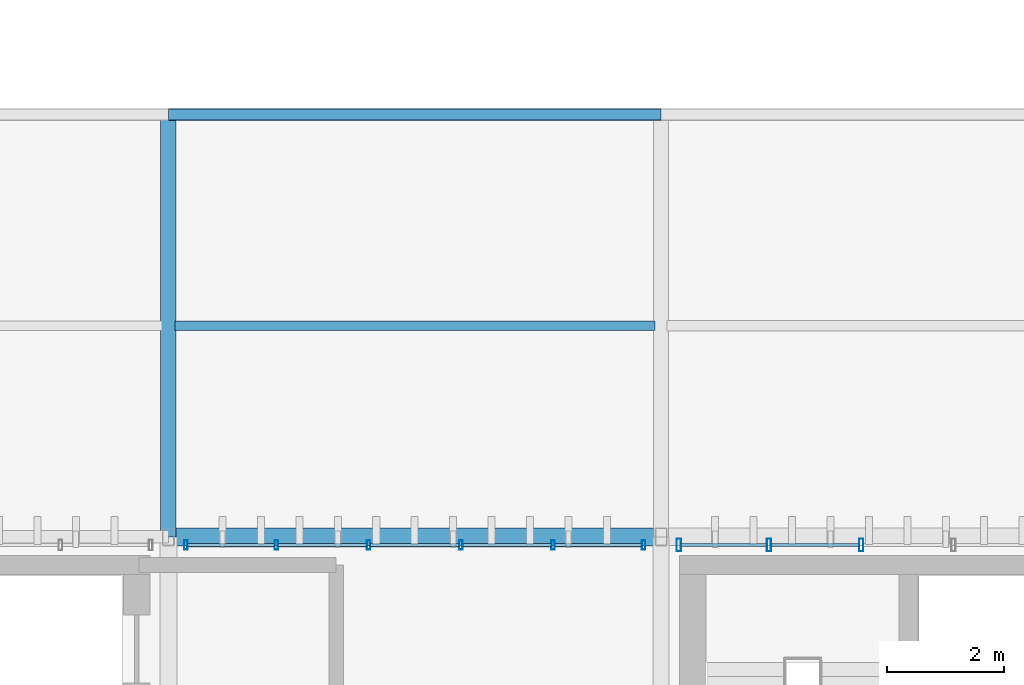
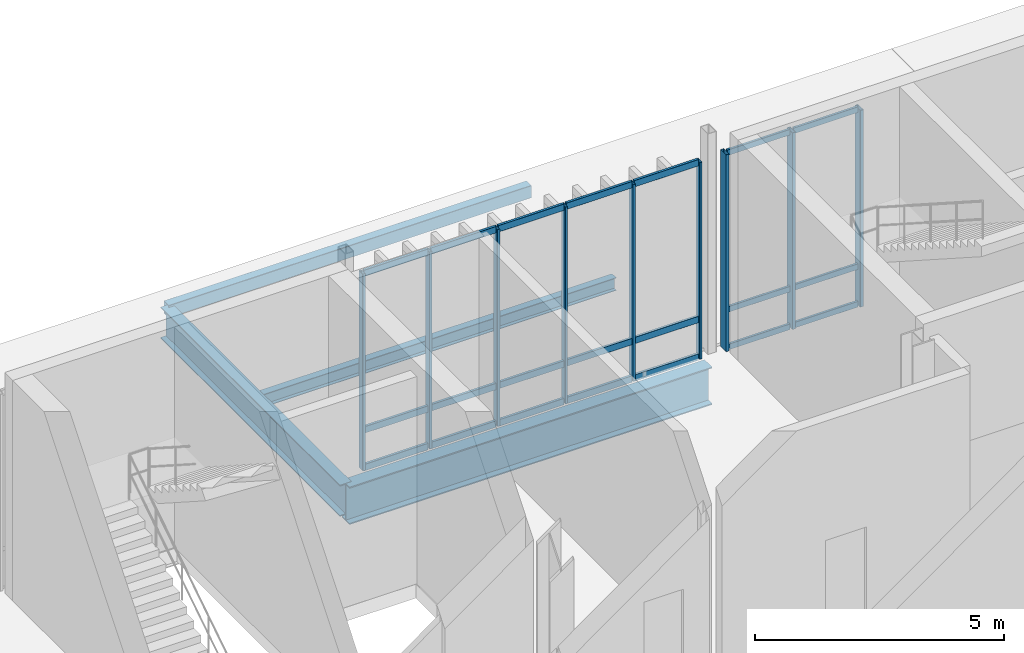
# One storey, part 29 of 112: 30 members, 4 beams, 2 elements without a shape of their own.
"""IFC4 building model written with IfcOpenShell, lengths in metres."""

from ifc_helpers import new_model, si_unit, direction, frame, origin_with_axes, origin_2d_with_axis, place, context, subcontext, project, spatial, hollow_rectangle, i_section, extrude, material, material_profile, profile_set, type_object, element, aggregate, save


model = new_model("IFC4")

# Units and contexts
model_context = context("Model", 3, precision=1e-05, world=origin_with_axes(), true_north=direction((0.0, 1.0)))
body_context = subcontext(model_context, "Body", "Model", "MODEL_VIEW")
ifc_project = project(units=[si_unit("LENGTHUNIT", "METRE"), si_unit("AREAUNIT", "SQUARE_METRE"), si_unit("VOLUMEUNIT", "CUBIC_METRE"), si_unit("PLANEANGLEUNIT", "RADIAN"), si_unit("MASSUNIT", "GRAM", prefix="KILO"), si_unit("THERMODYNAMICTEMPERATUREUNIT", "KELVIN")], contexts=[model_context])

# Site, building, storey
site_placement = place(None, origin_with_axes())
site = spatial("IfcSite", under=ifc_project, at=site_placement, CompositionType="ELEMENT")
building_placement = place(site_placement, origin_with_axes())
building = spatial("IfcBuilding", under=site, at=building_placement, Name="Montbau Bow Law Courts", CompositionType="ELEMENT")
storey_placement = place(building_placement, origin_with_axes())
storey = spatial("IfcBuildingStorey", under=building, at=storey_placement, Name="L00", CompositionType="ELEMENT", Elevation=0.0)

# Beams
ifc_material_1 = material(Name="Steel CSA G40.21 Grade 350W (350 MPa)", Category="steel")
ifc_material_profile_1 = material_profile(ifc_material_1, i_section(OverallWidth=0.306, OverallDepth=0.919, WebThickness=0.0173, FlangeThickness=0.0279, at=origin_2d_with_axis()), Name="W920X253", Category="Main", Priority=0)
ifc_profile_set_1 = profile_set([ifc_material_profile_1], Name="Steel CSA G40.21 Grade 350W (350 MPa)")
beam_type_1 = type_object("IfcBeamType", Name="B-FLR-01", PredefinedType="BEAM", material=ifc_profile_set_1)
beam_1_placement = place(None, frame((22.2, 54.6, -0.8), z_axis=(1.0, 0.0, 0.0), x_axis=(0.0, 1.0, 0.0)))
element("IfcBeam", 1, at=beam_1_placement, inside=storey, type_object=beam_type_1, Name="BM-L00-S0211:bm2_0214", PredefinedType="BEAM", context=body_context, shape_type="SweptSolid", body=[
    extrude(i_section(OverallWidth=0.306, OverallDepth=0.919, WebThickness=0.0173, FlangeThickness=0.0279, at=origin_2d_with_axis()), origin_with_axes(), (0.0, 0.0, 1.0), 8.4),
])
ifc_material_profile_2 = material_profile(ifc_material_1, i_section(OverallWidth=0.267, OverallDepth=0.766, WebThickness=0.0149, FlangeThickness=0.0236, at=origin_2d_with_axis()), Name="W760X185", Category="Main", Priority=0)
ifc_profile_set_2 = profile_set([ifc_material_profile_2], Name="Steel CSA G40.21 Grade 350W (350 MPa)")
beam_type_2 = type_object("IfcBeamType", Name="B-FLR-03", PredefinedType="BEAM", material=ifc_profile_set_2)
beam_2_placement = place(None, frame((22.2, 54.6, -0.723), z_axis=(0.0, 1.0, 0.0), x_axis=(-1.0, 0.0, 0.0)))
element("IfcBeam", 2, at=beam_2_placement, inside=storey, type_object=beam_type_2, Name="BM-L00-S0253:bm2_0256", PredefinedType="BEAM", context=body_context, shape_type="SweptSolid", body=[
    extrude(i_section(OverallWidth=0.267, OverallDepth=0.766, WebThickness=0.0149, FlangeThickness=0.0236, at=origin_2d_with_axis()), origin_with_axes(), (0.0, 0.0, 1.0), 7.2),
])
ifc_material_profile_3 = material_profile(ifc_material_1, i_section(OverallWidth=0.166, OverallDepth=0.313, WebThickness=0.0066, FlangeThickness=0.0112, at=origin_2d_with_axis()), Name="W310X45", Category="Main", Priority=0)
ifc_profile_set_3 = profile_set([ifc_material_profile_3], Name="Steel CSA G40.21 Grade 350W (350 MPa)")
beam_type_3 = type_object("IfcBeamType", Name="B-JST-04", PredefinedType="JOIST", material=ifc_profile_set_3)
beam_3_placement = place(None, frame((22.309, 58.2, -0.497), z_axis=(1.0, 0.0, 0.0), x_axis=(0.0, 1.0, 0.0)))
element("IfcBeam", 3, at=beam_3_placement, inside=storey, type_object=beam_type_3, Name="JST-L00-S0023:jst2_0023", PredefinedType="JOIST", context=body_context, shape_type="SweptSolid", body=[
    extrude(i_section(OverallWidth=0.166, OverallDepth=0.313, WebThickness=0.0066, FlangeThickness=0.0112, at=origin_2d_with_axis()), origin_with_axes(), (0.0, 0.0, 1.0), 8.188),
])
ifc_material_2 = material(Name="Steel CSA G40.21 Grade 350WT (350 MPa)", Category="steel")
ifc_material_profile_4 = material_profile(ifc_material_2, hollow_rectangle(XDim=0.203, YDim=0.305, WallThickness=0.0127, InnerFilletRadius=0.0254, OuterFilletRadius=0.0127, at=origin_2d_with_axis()), Name="HSS305X203X13", Category="Main", Priority=0)
ifc_profile_set_4 = profile_set([ifc_material_profile_4], Name="Steel CSA G40.21 Grade 350WT (350 MPa)")
beam_type_4 = type_object("IfcBeamType", Name="B-SPN-02", PredefinedType="SPANDREL", material=ifc_profile_set_4)
beam_4_placement = place(None, frame((22.2, 61.8, -0.443), z_axis=(1.0, 0.0, 0.0), x_axis=(0.0, 1.0, 0.0)))
element("IfcBeam", 4, at=beam_4_placement, inside=storey, type_object=beam_type_4, Name="SPN-L00-S0224:bm2_0227", PredefinedType="SPANDREL", context=body_context, shape_type="SweptSolid", body=[
    extrude(hollow_rectangle(XDim=0.203, YDim=0.305, WallThickness=0.0127, InnerFilletRadius=0.0254, OuterFilletRadius=0.0127, at=origin_2d_with_axis()), origin_with_axes(), (0.0, 0.0, 1.0), 8.4),
])

# Curtain wall, members
ifc_material_3 = material(Name="Thermally Broken Extruded Aluminium AA 6063-T6", Category="aluminium")
curtain_wall_type = type_object("IfcCurtainWallType", Name="CW-TRC-01", PredefinedType="NOTDEFINED", material=ifc_material_3)
curtain_wall_1_placement = place(None, frame((30.867, 54.46, 0.0), z_axis=(0.0, 0.0, 1.0), x_axis=(1.0, 0.0, 0.0)))
curtain_wall_1 = element("IfcCurtainWall", 5, at=curtain_wall_1_placement, inside=storey, type_object=curtain_wall_type, Name="CW-L00-009:cw_0009", PredefinedType="NOTDEFINED")
ifc_material_profile_5 = material_profile(ifc_material_3, hollow_rectangle(XDim=0.075, YDim=0.22, WallThickness=0.005, InnerFilletRadius=0.01, OuterFilletRadius=0.005, at=origin_2d_with_axis()), Name="CWM-220X75", Category="Main", Priority=0)
ifc_profile_set_5 = profile_set([ifc_material_profile_5], Name="Thermally Broken Extruded Aluminium AA 6063-T6")
member_type_1 = type_object("IfcMemberType", Name="M-MUL-01", PredefinedType="MULLION", material=ifc_profile_set_5)
member_1_placement = place(None, frame((30.904, 54.46, 0.0), z_axis=(0.0, 0.0, 1.0), x_axis=(1.0, 0.0, 0.0)))
member_1 = element("IfcMember", 6, at=member_1_placement, type_object=member_type_1, Name="CW-L00-009-M01:cw_0009_M01", PredefinedType="MULLION", context=body_context, shape_type="SweptSolid", body=[
    extrude(hollow_rectangle(XDim=0.075, YDim=0.22, WallThickness=0.005, InnerFilletRadius=0.01, OuterFilletRadius=0.005, at=origin_2d_with_axis()), origin_with_axes(), (0.0, 0.0, 1.0), 4.82),
])
member_2_placement = place(None, frame((32.44, 54.46, 0.0), z_axis=(0.0, 0.0, 1.0), x_axis=(1.0, 0.0, 0.0)))
member_2 = element("IfcMember", 7, at=member_2_placement, type_object=member_type_1, Name="CW-L00-009-M02:cw_0009_M02", PredefinedType="MULLION", context=body_context, shape_type="SweptSolid", body=[
    extrude(hollow_rectangle(XDim=0.075, YDim=0.22, WallThickness=0.005, InnerFilletRadius=0.01, OuterFilletRadius=0.005, at=origin_2d_with_axis()), origin_with_axes(), (0.0, 0.0, 1.0), 4.82),
])
member_3_placement = place(None, frame((34.013, 54.46, 0.0), z_axis=(0.0, 0.0, 1.0), x_axis=(1.0, 0.0, 0.0)))
member_3 = element("IfcMember", 8, at=member_3_placement, type_object=member_type_1, Name="CW-L00-009-M03:cw_0009_M03", PredefinedType="MULLION", context=body_context, shape_type="SweptSolid", body=[
    extrude(hollow_rectangle(XDim=0.075, YDim=0.22, WallThickness=0.005, InnerFilletRadius=0.01, OuterFilletRadius=0.005, at=origin_2d_with_axis()), origin_with_axes(), (0.0, 0.0, 1.0), 4.82),
])

curtain_wall_2_placement = place(None, frame((22.467, 54.46, 0.0), z_axis=(0.0, 0.0, 1.0), x_axis=(1.0, 0.0, 0.0)))
curtain_wall_2 = element("IfcCurtainWall", 9, at=curtain_wall_2_placement, inside=storey, type_object=curtain_wall_type, Name="CW-L00-008:cw_0008", PredefinedType="NOTDEFINED")
ifc_material_profile_6 = material_profile(ifc_material_3, hollow_rectangle(XDim=0.06, YDim=0.16, WallThickness=0.004, InnerFilletRadius=0.008, OuterFilletRadius=0.004, at=origin_2d_with_axis()), Name="CWM-160X60", Category="Main", Priority=0)
ifc_profile_set_6 = profile_set([ifc_material_profile_6], Name="Thermally Broken Extruded Aluminium AA 6063-T6")
member_type_2 = type_object("IfcMemberType", Name="M-MUL-03", PredefinedType="MULLION", material=ifc_profile_set_6)
member_4_placement = place(None, frame((22.497, 54.46, 0.0), z_axis=(0.0, 0.0, 1.0), x_axis=(1.0, 0.0, 0.0)))
member_4 = element("IfcMember", 10, at=member_4_placement, type_object=member_type_2, Name="CW-L00-008-M01:cw_0008_M01", PredefinedType="MULLION", context=body_context, shape_type="SweptSolid", body=[
    extrude(hollow_rectangle(XDim=0.06, YDim=0.16, WallThickness=0.004, InnerFilletRadius=0.008, OuterFilletRadius=0.004, at=origin_2d_with_axis()), origin_with_axes(), (0.0, 0.0, 1.0), 4.82),
])
member_5_placement = place(None, frame((24.04, 54.46, 0.0), z_axis=(0.0, 0.0, 1.0), x_axis=(1.0, 0.0, 0.0)))
member_5 = element("IfcMember", 11, at=member_5_placement, type_object=member_type_2, Name="CW-L00-008-M02:cw_0008_M02", PredefinedType="MULLION", context=body_context, shape_type="SweptSolid", body=[
    extrude(hollow_rectangle(XDim=0.06, YDim=0.16, WallThickness=0.004, InnerFilletRadius=0.008, OuterFilletRadius=0.004, at=origin_2d_with_axis()), origin_with_axes(), (0.0, 0.0, 1.0), 4.82),
])
member_6_placement = place(None, frame((25.613, 54.46, 0.0), z_axis=(0.0, 0.0, 1.0), x_axis=(1.0, 0.0, 0.0)))
member_6 = element("IfcMember", 12, at=member_6_placement, type_object=member_type_2, Name="CW-L00-008-M03:cw_0008_M03", PredefinedType="MULLION", context=body_context, shape_type="SweptSolid", body=[
    extrude(hollow_rectangle(XDim=0.06, YDim=0.16, WallThickness=0.004, InnerFilletRadius=0.008, OuterFilletRadius=0.004, at=origin_2d_with_axis()), origin_with_axes(), (0.0, 0.0, 1.0), 4.82),
])
member_7_placement = place(None, frame((27.187, 54.46, 0.0), z_axis=(0.0, 0.0, 1.0), x_axis=(1.0, 0.0, 0.0)))
member_7 = element("IfcMember", 13, at=member_7_placement, type_object=member_type_2, Name="CW-L00-008-M04:cw_0008_M04", PredefinedType="MULLION", context=body_context, shape_type="SweptSolid", body=[
    extrude(hollow_rectangle(XDim=0.06, YDim=0.16, WallThickness=0.004, InnerFilletRadius=0.008, OuterFilletRadius=0.004, at=origin_2d_with_axis()), origin_with_axes(), (0.0, 0.0, 1.0), 4.82),
])
member_8_placement = place(None, frame((28.76, 54.46, 0.0), z_axis=(0.0, 0.0, 1.0), x_axis=(1.0, 0.0, 0.0)))
member_8 = element("IfcMember", 14, at=member_8_placement, type_object=member_type_2, Name="CW-L00-008-M05:cw_0008_M05", PredefinedType="MULLION", context=body_context, shape_type="SweptSolid", body=[
    extrude(hollow_rectangle(XDim=0.06, YDim=0.16, WallThickness=0.004, InnerFilletRadius=0.008, OuterFilletRadius=0.004, at=origin_2d_with_axis()), origin_with_axes(), (0.0, 0.0, 1.0), 4.82),
])
member_9_placement = place(None, frame((30.303, 54.46, 0.0), z_axis=(0.0, 0.0, 1.0), x_axis=(1.0, 0.0, 0.0)))
member_9 = element("IfcMember", 15, at=member_9_placement, type_object=member_type_2, Name="CW-L00-008-M06:cw_0008_M06", PredefinedType="MULLION", context=body_context, shape_type="SweptSolid", body=[
    extrude(hollow_rectangle(XDim=0.06, YDim=0.16, WallThickness=0.004, InnerFilletRadius=0.008, OuterFilletRadius=0.004, at=origin_2d_with_axis()), origin_with_axes(), (0.0, 0.0, 1.0), 4.82),
])
ifc_material_profile_7 = material_profile(ifc_material_3, hollow_rectangle(XDim=0.06, YDim=0.16, WallThickness=0.004, InnerFilletRadius=0.008, OuterFilletRadius=0.004, at=origin_2d_with_axis()), Name="CWT-160X60", Category="Main", Priority=0)
ifc_profile_set_7 = profile_set([ifc_material_profile_7], Name="Thermally Broken Extruded Aluminium AA 6063-T6")
member_type_3 = type_object("IfcMemberType", Name="M-TRN-01", PredefinedType="USERDEFINED", material=ifc_profile_set_7)
member_10_placement = place(None, frame((22.529, 54.46, 0.03), z_axis=(1.0, 0.0, 0.0), x_axis=(0.0, 1.0, 0.0)))
member_10 = element("IfcMember", 16, at=member_10_placement, type_object=member_type_3, Name="CW-L00-008-T01-1:cw_0008_T01_1", ObjectType="TRANSOM", PredefinedType="USERDEFINED", context=body_context, shape_type="SweptSolid", body=[
    extrude(hollow_rectangle(XDim=0.06, YDim=0.16, WallThickness=0.004, InnerFilletRadius=0.008, OuterFilletRadius=0.004, at=origin_2d_with_axis()), origin_with_axes(), (0.0, 0.0, 1.0), 1.479),
])
member_11_placement = place(None, frame((22.529, 54.46, 0.95), z_axis=(1.0, 0.0, 0.0), x_axis=(0.0, 1.0, 0.0)))
member_11 = element("IfcMember", 17, at=member_11_placement, type_object=member_type_3, Name="CW-L00-008-T01-2:cw_0008_T01_2", ObjectType="TRANSOM", PredefinedType="USERDEFINED", context=body_context, shape_type="SweptSolid", body=[
    extrude(hollow_rectangle(XDim=0.06, YDim=0.16, WallThickness=0.004, InnerFilletRadius=0.008, OuterFilletRadius=0.004, at=origin_2d_with_axis()), origin_with_axes(), (0.0, 0.0, 1.0), 1.479),
])
member_12_placement = place(None, frame((22.529, 54.46, 4.79), z_axis=(1.0, 0.0, 0.0), x_axis=(0.0, 1.0, 0.0)))
member_12 = element("IfcMember", 18, at=member_12_placement, type_object=member_type_3, Name="CW-L00-008-T01-3:cw_0008_T01_3", ObjectType="TRANSOM", PredefinedType="USERDEFINED", context=body_context, shape_type="SweptSolid", body=[
    extrude(hollow_rectangle(XDim=0.06, YDim=0.16, WallThickness=0.004, InnerFilletRadius=0.008, OuterFilletRadius=0.004, at=origin_2d_with_axis()), origin_with_axes(), (0.0, 0.0, 1.0), 1.479),
])
member_13_placement = place(None, frame((24.072, 54.46, 0.03), z_axis=(1.0, 0.0, 0.0), x_axis=(0.0, 1.0, 0.0)))
member_13 = element("IfcMember", 19, at=member_13_placement, type_object=member_type_3, Name="CW-L00-008-T02-1:cw_0008_T02_1", ObjectType="TRANSOM", PredefinedType="USERDEFINED", context=body_context, shape_type="SweptSolid", body=[
    extrude(hollow_rectangle(XDim=0.06, YDim=0.16, WallThickness=0.004, InnerFilletRadius=0.008, OuterFilletRadius=0.004, at=origin_2d_with_axis()), origin_with_axes(), (0.0, 0.0, 1.0), 1.509),
])
member_14_placement = place(None, frame((24.072, 54.46, 0.95), z_axis=(1.0, 0.0, 0.0), x_axis=(0.0, 1.0, 0.0)))
member_14 = element("IfcMember", 20, at=member_14_placement, type_object=member_type_3, Name="CW-L00-008-T02-2:cw_0008_T02_2", ObjectType="TRANSOM", PredefinedType="USERDEFINED", context=body_context, shape_type="SweptSolid", body=[
    extrude(hollow_rectangle(XDim=0.06, YDim=0.16, WallThickness=0.004, InnerFilletRadius=0.008, OuterFilletRadius=0.004, at=origin_2d_with_axis()), origin_with_axes(), (0.0, 0.0, 1.0), 1.509),
])
member_15_placement = place(None, frame((24.072, 54.46, 4.79), z_axis=(1.0, 0.0, 0.0), x_axis=(0.0, 1.0, 0.0)))
member_15 = element("IfcMember", 21, at=member_15_placement, type_object=member_type_3, Name="CW-L00-008-T02-3:cw_0008_T02_3", ObjectType="TRANSOM", PredefinedType="USERDEFINED", context=body_context, shape_type="SweptSolid", body=[
    extrude(hollow_rectangle(XDim=0.06, YDim=0.16, WallThickness=0.004, InnerFilletRadius=0.008, OuterFilletRadius=0.004, at=origin_2d_with_axis()), origin_with_axes(), (0.0, 0.0, 1.0), 1.509),
])
member_16_placement = place(None, frame((25.645, 54.46, 0.03), z_axis=(1.0, 0.0, 0.0), x_axis=(0.0, 1.0, 0.0)))
member_16 = element("IfcMember", 22, at=member_16_placement, type_object=member_type_3, Name="CW-L00-008-T03-1:cw_0008_T03_1", ObjectType="TRANSOM", PredefinedType="USERDEFINED", context=body_context, shape_type="SweptSolid", body=[
    extrude(hollow_rectangle(XDim=0.06, YDim=0.16, WallThickness=0.004, InnerFilletRadius=0.008, OuterFilletRadius=0.004, at=origin_2d_with_axis()), origin_with_axes(), (0.0, 0.0, 1.0), 1.51),
])
member_17_placement = place(None, frame((25.645, 54.46, 0.95), z_axis=(1.0, 0.0, 0.0), x_axis=(0.0, 1.0, 0.0)))
member_17 = element("IfcMember", 23, at=member_17_placement, type_object=member_type_3, Name="CW-L00-008-T03-2:cw_0008_T03_2", ObjectType="TRANSOM", PredefinedType="USERDEFINED", context=body_context, shape_type="SweptSolid", body=[
    extrude(hollow_rectangle(XDim=0.06, YDim=0.16, WallThickness=0.004, InnerFilletRadius=0.008, OuterFilletRadius=0.004, at=origin_2d_with_axis()), origin_with_axes(), (0.0, 0.0, 1.0), 1.51),
])
member_18_placement = place(None, frame((25.645, 54.46, 4.79), z_axis=(1.0, 0.0, 0.0), x_axis=(0.0, 1.0, 0.0)))
member_18 = element("IfcMember", 24, at=member_18_placement, type_object=member_type_3, Name="CW-L00-008-T03-3:cw_0008_T03_3", ObjectType="TRANSOM", PredefinedType="USERDEFINED", context=body_context, shape_type="SweptSolid", body=[
    extrude(hollow_rectangle(XDim=0.06, YDim=0.16, WallThickness=0.004, InnerFilletRadius=0.008, OuterFilletRadius=0.004, at=origin_2d_with_axis()), origin_with_axes(), (0.0, 0.0, 1.0), 1.51),
])
member_19_placement = place(None, frame((27.219, 54.46, 0.03), z_axis=(1.0, 0.0, 0.0), x_axis=(0.0, 1.0, 0.0)))
member_19 = element("IfcMember", 25, at=member_19_placement, type_object=member_type_3, Name="CW-L00-008-T04-1:cw_0008_T04_1", ObjectType="TRANSOM", PredefinedType="USERDEFINED", context=body_context, shape_type="SweptSolid", body=[
    extrude(hollow_rectangle(XDim=0.06, YDim=0.16, WallThickness=0.004, InnerFilletRadius=0.008, OuterFilletRadius=0.004, at=origin_2d_with_axis()), origin_with_axes(), (0.0, 0.0, 1.0), 1.509),
])
member_20_placement = place(None, frame((27.219, 54.46, 0.95), z_axis=(1.0, 0.0, 0.0), x_axis=(0.0, 1.0, 0.0)))
member_20 = element("IfcMember", 26, at=member_20_placement, type_object=member_type_3, Name="CW-L00-008-T04-2:cw_0008_T04_2", ObjectType="TRANSOM", PredefinedType="USERDEFINED", context=body_context, shape_type="SweptSolid", body=[
    extrude(hollow_rectangle(XDim=0.06, YDim=0.16, WallThickness=0.004, InnerFilletRadius=0.008, OuterFilletRadius=0.004, at=origin_2d_with_axis()), origin_with_axes(), (0.0, 0.0, 1.0), 1.509),
])
member_21_placement = place(None, frame((27.219, 54.46, 4.79), z_axis=(1.0, 0.0, 0.0), x_axis=(0.0, 1.0, 0.0)))
member_21 = element("IfcMember", 27, at=member_21_placement, type_object=member_type_3, Name="CW-L00-008-T04-3:cw_0008_T04_3", ObjectType="TRANSOM", PredefinedType="USERDEFINED", context=body_context, shape_type="SweptSolid", body=[
    extrude(hollow_rectangle(XDim=0.06, YDim=0.16, WallThickness=0.004, InnerFilletRadius=0.008, OuterFilletRadius=0.004, at=origin_2d_with_axis()), origin_with_axes(), (0.0, 0.0, 1.0), 1.509),
])
member_22_placement = place(None, frame((28.792, 54.46, 0.03), z_axis=(1.0, 0.0, 0.0), x_axis=(0.0, 1.0, 0.0)))
member_22 = element("IfcMember", 28, at=member_22_placement, type_object=member_type_3, Name="CW-L00-008-T05-1:cw_0008_T05_1", ObjectType="TRANSOM", PredefinedType="USERDEFINED", context=body_context, shape_type="SweptSolid", body=[
    extrude(hollow_rectangle(XDim=0.06, YDim=0.16, WallThickness=0.004, InnerFilletRadius=0.008, OuterFilletRadius=0.004, at=origin_2d_with_axis()), origin_with_axes(), (0.0, 0.0, 1.0), 1.479),
])
member_23_placement = place(None, frame((28.792, 54.46, 0.95), z_axis=(1.0, 0.0, 0.0), x_axis=(0.0, 1.0, 0.0)))
member_23 = element("IfcMember", 29, at=member_23_placement, type_object=member_type_3, Name="CW-L00-008-T05-2:cw_0008_T05_2", ObjectType="TRANSOM", PredefinedType="USERDEFINED", context=body_context, shape_type="SweptSolid", body=[
    extrude(hollow_rectangle(XDim=0.06, YDim=0.16, WallThickness=0.004, InnerFilletRadius=0.008, OuterFilletRadius=0.004, at=origin_2d_with_axis()), origin_with_axes(), (0.0, 0.0, 1.0), 1.479),
])
member_24_placement = place(None, frame((28.792, 54.46, 4.79), z_axis=(1.0, 0.0, 0.0), x_axis=(0.0, 1.0, 0.0)))
member_24 = element("IfcMember", 30, at=member_24_placement, type_object=member_type_3, Name="CW-L00-008-T05-3:cw_0008_T05_3", ObjectType="TRANSOM", PredefinedType="USERDEFINED", context=body_context, shape_type="SweptSolid", body=[
    extrude(hollow_rectangle(XDim=0.06, YDim=0.16, WallThickness=0.004, InnerFilletRadius=0.008, OuterFilletRadius=0.004, at=origin_2d_with_axis()), origin_with_axes(), (0.0, 0.0, 1.0), 1.479),
])
aggregate(curtain_wall_2, [member_4, member_5, member_6, member_7, member_8, member_9, member_10, member_11, member_12, member_13, member_14, member_15, member_16, member_17, member_18, member_19, member_20, member_21, member_22, member_23, member_24])

# Member
ifc_material_profile_8 = material_profile(ifc_material_3, hollow_rectangle(XDim=0.055, YDim=0.14, WallThickness=0.004, InnerFilletRadius=0.008, OuterFilletRadius=0.004, at=origin_2d_with_axis()), Name="CWT-140X55", Category="Main", Priority=0)
ifc_profile_set_8 = profile_set([ifc_material_profile_8], Name="Thermally Broken Extruded Aluminium AA 6063-T6")
member_type_4 = type_object("IfcMemberType", Name="M-TRN-02", PredefinedType="USERDEFINED", material=ifc_profile_set_8)
member_25_placement = place(None, frame((30.943, 54.46, 0.028), z_axis=(1.0, 0.0, 0.0), x_axis=(0.0, 1.0, 0.0)))
member_25 = element("IfcMember", 31, at=member_25_placement, type_object=member_type_4, Name="CW-L00-009-T01-1:cw_0009_T01_1", ObjectType="TRANSOM", PredefinedType="USERDEFINED", context=body_context, shape_type="SweptSolid", body=[
    extrude(hollow_rectangle(XDim=0.055, YDim=0.14, WallThickness=0.004, InnerFilletRadius=0.008, OuterFilletRadius=0.004, at=origin_2d_with_axis()), origin_with_axes(), (0.0, 0.0, 1.0), 1.457),
])

member_26_placement = place(None, frame((30.943, 54.46, 0.95), z_axis=(1.0, 0.0, 0.0), x_axis=(0.0, 1.0, 0.0)))
member_26 = element("IfcMember", 32, at=member_26_placement, type_object=member_type_4, Name="CW-L00-009-T01-2:cw_0009_T01_2", ObjectType="TRANSOM", PredefinedType="USERDEFINED", context=body_context, shape_type="SweptSolid", body=[
    extrude(hollow_rectangle(XDim=0.055, YDim=0.14, WallThickness=0.004, InnerFilletRadius=0.008, OuterFilletRadius=0.004, at=origin_2d_with_axis()), origin_with_axes(), (0.0, 0.0, 1.0), 1.457),
])

member_27_placement = place(None, frame((30.943, 54.46, 4.793), z_axis=(1.0, 0.0, 0.0), x_axis=(0.0, 1.0, 0.0)))
member_27 = element("IfcMember", 33, at=member_27_placement, type_object=member_type_4, Name="CW-L00-009-T01-3:cw_0009_T01_3", ObjectType="TRANSOM", PredefinedType="USERDEFINED", context=body_context, shape_type="SweptSolid", body=[
    extrude(hollow_rectangle(XDim=0.055, YDim=0.14, WallThickness=0.004, InnerFilletRadius=0.008, OuterFilletRadius=0.004, at=origin_2d_with_axis()), origin_with_axes(), (0.0, 0.0, 1.0), 1.457),
])

member_28_placement = place(None, frame((32.48, 54.46, 0.028), z_axis=(1.0, 0.0, 0.0), x_axis=(0.0, 1.0, 0.0)))
member_28 = element("IfcMember", 34, at=member_28_placement, type_object=member_type_4, Name="CW-L00-009-T02-1:cw_0009_T02_1", ObjectType="TRANSOM", PredefinedType="USERDEFINED", context=body_context, shape_type="SweptSolid", body=[
    extrude(hollow_rectangle(XDim=0.055, YDim=0.14, WallThickness=0.004, InnerFilletRadius=0.008, OuterFilletRadius=0.004, at=origin_2d_with_axis()), origin_with_axes(), (0.0, 0.0, 1.0), 1.494),
])

member_29_placement = place(None, frame((32.48, 54.46, 0.95), z_axis=(1.0, 0.0, 0.0), x_axis=(0.0, 1.0, 0.0)))
member_29 = element("IfcMember", 35, at=member_29_placement, type_object=member_type_4, Name="CW-L00-009-T02-2:cw_0009_T02_2", ObjectType="TRANSOM", PredefinedType="USERDEFINED", context=body_context, shape_type="SweptSolid", body=[
    extrude(hollow_rectangle(XDim=0.055, YDim=0.14, WallThickness=0.004, InnerFilletRadius=0.008, OuterFilletRadius=0.004, at=origin_2d_with_axis()), origin_with_axes(), (0.0, 0.0, 1.0), 1.494),
])

member_30_placement = place(None, frame((32.48, 54.46, 4.793), z_axis=(1.0, 0.0, 0.0), x_axis=(0.0, 1.0, 0.0)))
member_30 = element("IfcMember", 36, at=member_30_placement, type_object=member_type_4, Name="CW-L00-009-T02-3:cw_0009_T02_3", ObjectType="TRANSOM", PredefinedType="USERDEFINED", context=body_context, shape_type="SweptSolid", body=[
    extrude(hollow_rectangle(XDim=0.055, YDim=0.14, WallThickness=0.004, InnerFilletRadius=0.008, OuterFilletRadius=0.004, at=origin_2d_with_axis()), origin_with_axes(), (0.0, 0.0, 1.0), 1.494),
])

aggregate(curtain_wall_1, [member_1, member_2, member_3, member_25, member_26, member_27, member_28, member_29, member_30])

save(model, "model.ifc")
